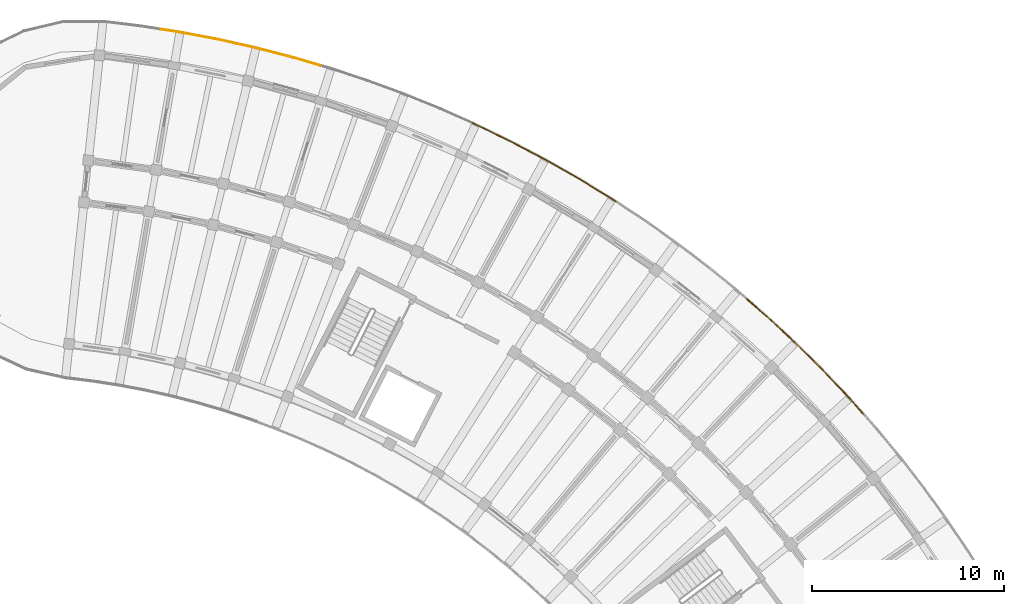
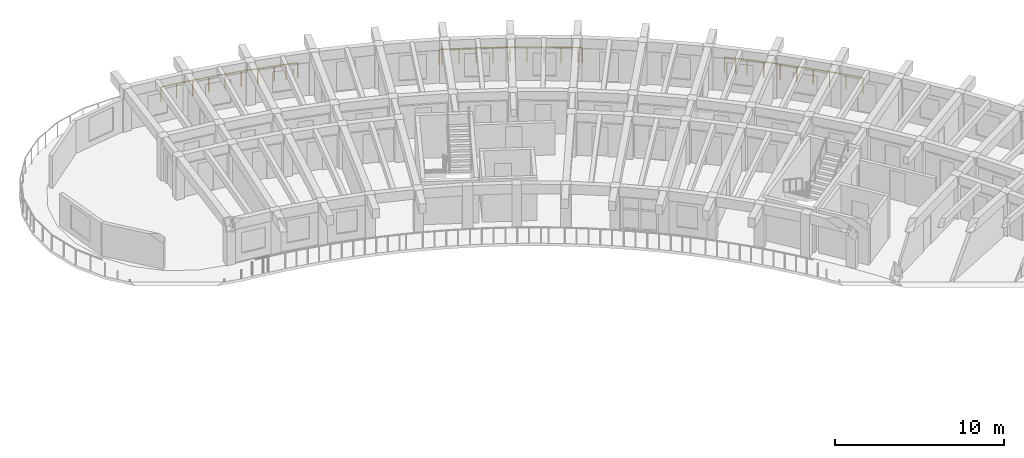
# One storey, part 81 of 81: 3 railings.
"""IFC4 building model written with IfcOpenShell, lengths in metres."""

from ifc_helpers import new_model, si_unit, direction, frame, origin, origin_2d, place, context, subcontext, project, spatial, circle, extrude, material, type_object, element, save


model = new_model("IFC4")

# Units and contexts
model_context = context("Model", 3, precision=1e-05, world=origin(), true_north=direction((0.0, 1.0)))
body_context = subcontext(model_context, "Body", "Model", "MODEL_VIEW")
ifc_project = project(units=[si_unit("LENGTHUNIT", "METRE"), si_unit("AREAUNIT", "SQUARE_METRE"), si_unit("VOLUMEUNIT", "CUBIC_METRE"), si_unit("PLANEANGLEUNIT", "RADIAN"), si_unit("MASSUNIT", "GRAM", prefix="KILO")], contexts=[model_context])

# Site, building, storey
site_placement = place(None, origin())
site = spatial("IfcSite", under=ifc_project, at=site_placement, CompositionType="ELEMENT")
building_placement = place(site_placement, origin())
building = spatial("IfcBuilding", under=site, at=building_placement, Name="Tanwirah Colonnade Gardens", CompositionType="ELEMENT")
storey_placement = place(building_placement, frame((0.0, 0.0, 8.840087890625)))
storey = spatial("IfcBuildingStorey", under=building, at=storey_placement, Name="L02", CompositionType="ELEMENT", Elevation=8.840087890625)

# Railings
ifc_material = material(Name="Precast concrete C40/50", Category="concrete")
railing_type = type_object("IfcRailingType", Name="BAL-EXT112", PredefinedType="BALUSTRADE", material=ifc_material)
railing_1_placement = place(storey_placement, frame((130.427734375, 120.782470703125, 0.0)))
element("IfcRailing", 1, at=railing_1_placement, inside=storey, type_object=railing_type, Name="Block B L02 Balcony Ribbon Balustrade 11", PredefinedType="BALUSTRADE", context=body_context, shape_type="SweptSolid", body=[
    extrude(circle(Radius=0.02392578125, at=origin_2d()), frame((0.031005859375, -0.0048828125, 1.09619140625), z_axis=(0.988127200794, -0.153638000024, 0.0), x_axis=(0.153638000024, 0.988127200794, 0.0)), (0.0, 0.0, 1.0), 0.935302734375),
    extrude(circle(Radius=0.02392578125, at=origin_2d()), frame((1.016845703125, -0.1591796875, 1.09619140625), z_axis=(0.982549371225, -0.186001970705, 0.0), x_axis=(0.186001970705, 0.982549371225, 0.0)), (0.0, 0.0, 1.0), 1.958740234375),
    extrude(circle(Radius=0.02392578125, at=origin_2d()), frame((3.002685546875, -0.5361328125, 1.09619140625), z_axis=(0.975867729966, -0.218362482151, 0.0), x_axis=(0.218362482151, 0.975867729966, 0.0)), (0.0, 0.0, 1.0), 1.958984375),
    extrude(circle(Radius=0.02392578125, at=origin_2d()), frame((4.97509765625, -0.978515625, 1.09619140625), z_axis=(0.968157509899, -0.250341838346, 0.0), x_axis=(0.250341838346, 0.968157509899, 0.0)), (0.0, 0.0, 1.0), 1.959228515625),
    extrude(circle(Radius=0.02392578125, at=origin_2d()), frame((6.93212890625, -1.485595703125, 1.09619140625), z_axis=(0.959341160032, -0.282249072043, 0.0), x_axis=(0.282249072043, 0.959341160032, 0.0)), (0.0, 0.0, 1.0), 1.375),
    extrude(circle(Radius=0.02099609375, at=origin_2d()), origin(), (0.0, 0.0, 1.0), 1.069091796875),
    extrude(circle(Radius=0.02099609375, at=origin_2d()), frame((0.986083984375, -0.1533203125, 0.0)), (0.0, 0.0, 1.0), 1.069091796875),
    extrude(circle(Radius=0.02099609375, at=origin_2d()), frame((1.97900390625, -0.34130859375, 0.0)), (0.0, 0.0, 1.0), 1.069091796875),
    extrude(circle(Radius=0.02099609375, at=origin_2d()), frame((2.97216796875, -0.529296875, 0.0)), (0.0, 0.0, 1.0), 1.069091796875),
    extrude(circle(Radius=0.02099609375, at=origin_2d()), frame((3.95849609375, -0.75, 0.0)), (0.0, 0.0, 1.0), 1.069091796875),
    extrude(circle(Radius=0.02099609375, at=origin_2d()), frame((4.94482421875, -0.970703125, 0.0)), (0.0, 0.0, 1.0), 1.069091796875),
    extrude(circle(Radius=0.02099609375, at=origin_2d()), frame((5.92333984375, -1.2236328125, 0.0)), (0.0, 0.0, 1.0), 1.069091796875),
    extrude(circle(Radius=0.02099609375, at=origin_2d()), frame((6.902099609375, -1.476806640625, 0.0)), (0.0, 0.0, 1.0), 1.069091796875),
    extrude(circle(Radius=0.02099609375, at=origin_2d()), frame((7.591796875, -1.6796875, 0.0)), (0.0, 0.0, 1.0), 1.069091796875),
    extrude(circle(Radius=0.02099609375, at=origin_2d()), frame((8.28125, -1.882568359375, 0.0)), (0.0, 0.0, 1.0), 1.069091796875),
])
railing_2_placement = place(storey_placement, frame((146.652099609375, 115.893798828125, 0.0)))
element("IfcRailing", 2, at=railing_2_placement, inside=storey, type_object=railing_type, Name="Block B L02 Balcony Ribbon Balustrade 13", PredefinedType="BALUSTRADE", context=body_context, shape_type="SweptSolid", body=[
    extrude(circle(Radius=0.02392578125, at=origin_2d()), frame((0.028564453125, -0.0126953125, 1.09619140625), z_axis=(0.913930211461, -0.405871369499, 0.0), x_axis=(0.405871369499, 0.913930211461, 0.0)), (0.0, 0.0, 1.0), 0.107177734375),
    extrude(circle(Radius=0.02392578125, at=origin_2d()), frame((0.18310546875, -0.08251953125, 1.09619140625), z_axis=(0.900055350621, -0.435775591122, 0.0), x_axis=(0.435775591122, 0.900055350621, 0.0)), (0.0, 0.0, 1.0), 1.958740234375),
    extrude(circle(Radius=0.02392578125, at=origin_2d()), frame((2.001953125, -0.96435546875, 1.09619140625), z_axis=(0.885211446817, -0.465188880374, 0.0), x_axis=(0.465188880374, 0.885211446817, 0.0)), (0.0, 0.0, 1.0), 1.958984375),
    extrude(circle(Radius=0.02392578125, at=origin_2d()), frame((3.791015625, -1.905517578125, 1.09619140625), z_axis=(0.869392881113, -0.494121461049, 0.0), x_axis=(0.494121461049, 0.869392881113, 0.0)), (0.0, 0.0, 1.0), 1.958740234375),
    extrude(circle(Radius=0.02392578125, at=origin_2d()), frame((5.5478515625, -2.9052734375, 1.09619140625), z_axis=(0.852660263329, -0.522465764754, 0.0), x_axis=(0.522465764754, 0.852660263329, 0.0)), (0.0, 0.0, 1.0), 1.958984375),
    extrude(circle(Radius=0.02392578125, at=origin_2d()), frame((7.27099609375, -3.962158203125, 1.09619140625), z_axis=(0.834958204617, -0.550313362134, 0.0), x_axis=(0.550313362134, 0.834958204617, 0.0)), (0.0, 0.0, 1.0), 0.181884765625),
    extrude(circle(Radius=0.02099609375, at=origin_2d()), origin(), (0.0, 0.0, 1.0), 1.069091796875),
    extrude(circle(Radius=0.02099609375, at=origin_2d()), frame((0.155029296875, -0.06884765625, 0.0)), (0.0, 0.0, 1.0), 1.069091796875),
    extrude(circle(Radius=0.02099609375, at=origin_2d()), frame((1.064697265625, -0.50927734375, 0.0)), (0.0, 0.0, 1.0), 1.069091796875),
    extrude(circle(Radius=0.02099609375, at=origin_2d()), frame((1.974365234375, -0.94970703125, 0.0)), (0.0, 0.0, 1.0), 1.069091796875),
    extrude(circle(Radius=0.02099609375, at=origin_2d()), frame((2.869140625, -1.419921875, 0.0)), (0.0, 0.0, 1.0), 1.069091796875),
    extrude(circle(Radius=0.02099609375, at=origin_2d()), frame((3.763916015625, -1.89013671875, 0.0)), (0.0, 0.0, 1.0), 1.069091796875),
    extrude(circle(Radius=0.02099609375, at=origin_2d()), frame((4.642578125, -2.3896484375, 0.0)), (0.0, 0.0, 1.0), 1.069091796875),
    extrude(circle(Radius=0.02099609375, at=origin_2d()), frame((5.521240234375, -2.888916015625, 0.0)), (0.0, 0.0, 1.0), 1.069091796875),
    extrude(circle(Radius=0.02099609375, at=origin_2d()), frame((6.383056640625, -3.4169921875, 0.0)), (0.0, 0.0, 1.0), 1.069091796875),
    extrude(circle(Radius=0.02099609375, at=origin_2d()), frame((7.244873046875, -3.945068359375, 0.0)), (0.0, 0.0, 1.0), 1.069091796875),
    extrude(circle(Radius=0.02099609375, at=origin_2d()), frame((7.448974609375, -4.07958984375, 0.0)), (0.0, 0.0, 1.0), 1.069091796875),
])
railing_3_placement = place(storey_placement, frame((160.913330078125, 106.7421875, 0.0)))
element("IfcRailing", 3, at=railing_3_placement, inside=storey, type_object=railing_type, Name="Block B L02 Balcony Ribbon Balustrade 15", PredefinedType="BALUSTRADE", context=body_context, shape_type="SweptSolid", body=[
    extrude(circle(Radius=0.02392578125, at=origin_2d()), frame((0.023681640625, -0.0205078125, 1.09619140625), z_axis=(0.755322467302, -0.655353317218, 0.0), x_axis=(0.655353317218, 0.755322467302, 0.0)), (0.0, 0.0, 1.0), 1.30029296875),
    extrude(circle(Radius=0.02392578125, at=origin_2d()), frame((1.05224609375, -0.914306640625, 1.09619140625), z_axis=(0.733352454033, -0.679848643569, 0.0), x_axis=(0.679848643569, 0.733352454033, 0.0)), (0.0, 0.0, 1.0), 1.958984375),
    extrude(circle(Radius=0.02392578125, at=origin_2d()), frame((2.533935546875, -2.289306640625, 1.09619140625), z_axis=(0.710480209462, -0.703717181801, 0.0), x_axis=(0.703717181801, 0.710480209462, 0.0)), (0.0, 0.0, 1.0), 1.958984375),
    extrude(circle(Radius=0.02392578125, at=origin_2d()), frame((3.969482421875, -3.712646484375, 1.09619140625), z_axis=(0.686960364449, -0.726694886232, 0.0), x_axis=(0.726694886232, 0.686960364449, 0.0)), (0.0, 0.0, 1.0), 1.958984375),
    extrude(circle(Radius=0.02392578125, at=origin_2d()), frame((5.357421875, -5.182373046875, 1.09619140625), z_axis=(0.662667168974, -0.748914029221, 0.0), x_axis=(0.748914029221, 0.662667168974, 0.0)), (0.0, 0.0, 1.0), 1.01025390625),
    extrude(circle(Radius=0.02099609375, at=origin_2d()), origin(), (0.0, 0.0, 1.0), 1.069091796875),
    extrude(circle(Radius=0.02099609375, at=origin_2d()), frame((0.5146484375, -0.446533203125, 0.0)), (0.0, 0.0, 1.0), 1.069091796875),
    extrude(circle(Radius=0.02099609375, at=origin_2d()), frame((1.029296875, -0.89306640625, 0.0)), (0.0, 0.0, 1.0), 1.069091796875),
    extrude(circle(Radius=0.02099609375, at=origin_2d()), frame((1.7705078125, -1.580078125, 0.0)), (0.0, 0.0, 1.0), 1.069091796875),
    extrude(circle(Radius=0.02099609375, at=origin_2d()), frame((2.51171875, -2.267333984375, 0.0)), (0.0, 0.0, 1.0), 1.069091796875),
    extrude(circle(Radius=0.02099609375, at=origin_2d()), frame((3.22998046875, -2.978515625, 0.0)), (0.0, 0.0, 1.0), 1.069091796875),
    extrude(circle(Radius=0.02099609375, at=origin_2d()), frame((3.947998046875, -3.68994140625, 0.0)), (0.0, 0.0, 1.0), 1.069091796875),
    extrude(circle(Radius=0.02099609375, at=origin_2d()), frame((4.642333984375, -4.42431640625, 0.0)), (0.0, 0.0, 1.0), 1.069091796875),
    extrude(circle(Radius=0.02099609375, at=origin_2d()), frame((5.336669921875, -5.158935546875, 0.0)), (0.0, 0.0, 1.0), 1.069091796875),
    extrude(circle(Radius=0.02099609375, at=origin_2d()), frame((6.047607421875, -5.96240234375, 0.0)), (0.0, 0.0, 1.0), 1.069091796875),
])

save(model, "model.ifc")
